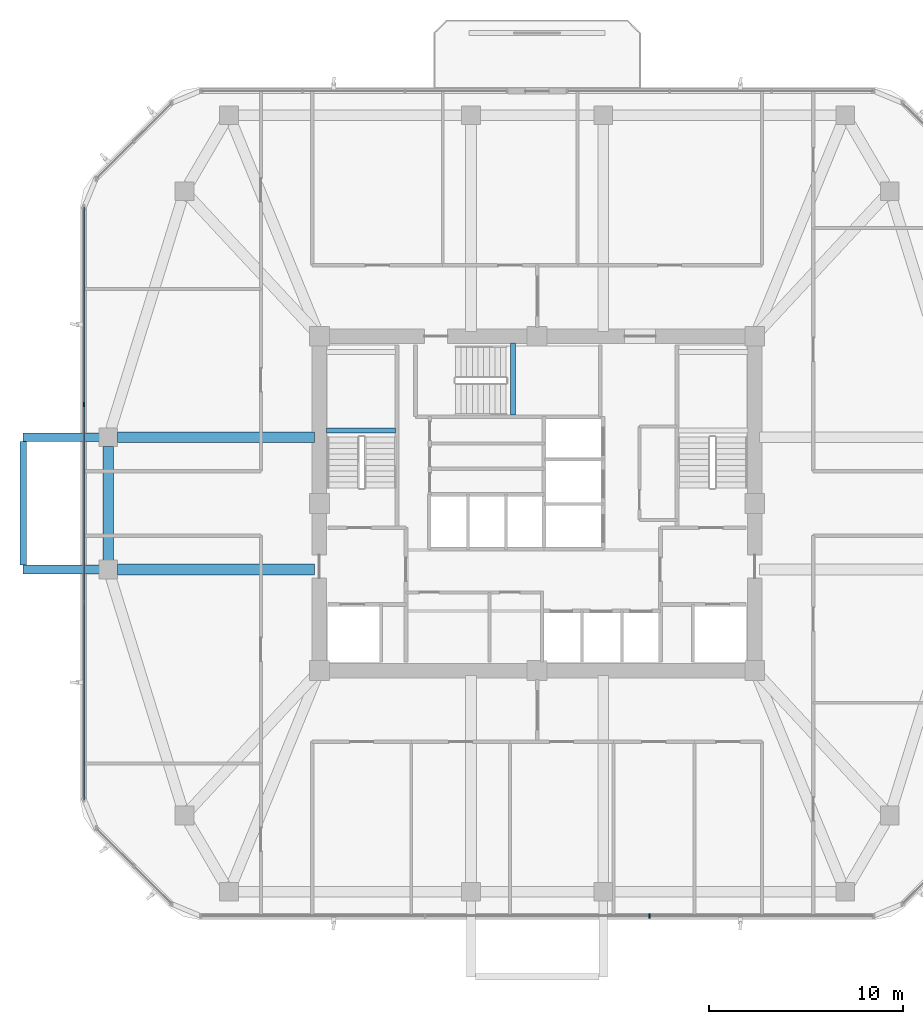
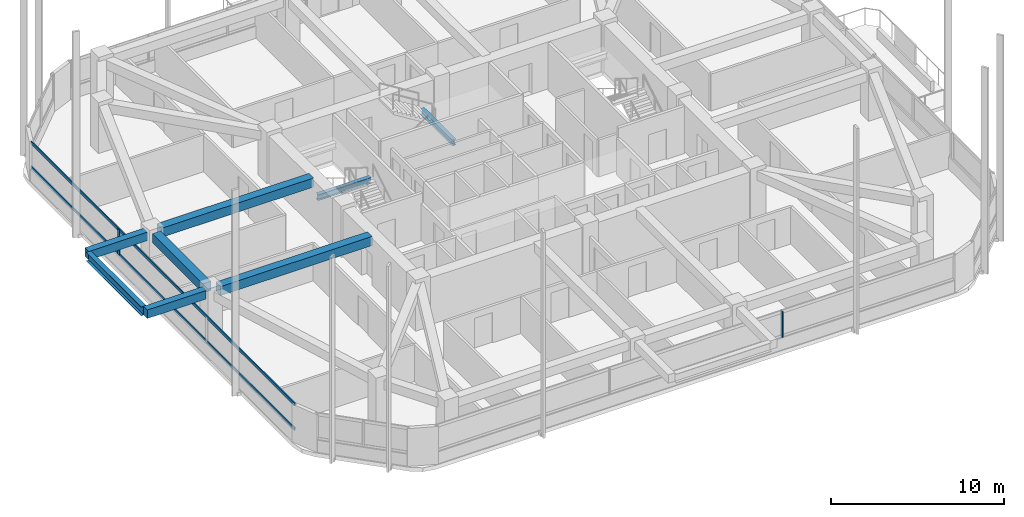
# One storey, part 3 of 14: 8 beams, 4 members, 2 elements without a shape of their own.
"""IFC4 building model written with IfcOpenShell, lengths in metres."""

from ifc_helpers import new_model, si_unit, derived_unit, direction, frame, origin, origin_2d, place, context, subcontext, project, spatial, rectangle, i_section, extrude, material, material_profile, profile_set, type_object, element, aggregate, save


model = new_model("IFC4")

# Units and contexts
model_context = context("Model", 3, precision=1e-05, world=origin(), true_north=direction((0.0, 1.0)))
body_context = subcontext(model_context, "Body", "Model", "MODEL_VIEW")
ifc_project = project(units=[si_unit("LENGTHUNIT", "METRE"), si_unit("AREAUNIT", "SQUARE_METRE"), si_unit("VOLUMEUNIT", "CUBIC_METRE"), si_unit("PLANEANGLEUNIT", "RADIAN"), si_unit("MASSUNIT", "GRAM", prefix="KILO"), derived_unit("THERMALTRANSMITTANCEUNIT", [(si_unit("POWERUNIT", "WATT"), 1), (si_unit("LENGTHUNIT", "METRE"), -2), (si_unit("THERMODYNAMICTEMPERATUREUNIT", "KELVIN"), -1)])], contexts=[model_context])

# Site, building, storey
site_placement = place(None, origin())
site = spatial("IfcSite", under=ifc_project, at=site_placement, CompositionType="ELEMENT")
building_placement = place(site_placement, origin())
building = spatial("IfcBuilding", under=site, at=building_placement, Name="Koralith Skygarden Medical Center", CompositionType="ELEMENT")
storey_placement = place(building_placement, frame((0.0, 0.0, 145.6201171875)))
storey = spatial("IfcBuildingStorey", under=building, at=storey_placement, Name="L37", CompositionType="ELEMENT", Elevation=145.6201171875)

# Curtain wall, member
ifc_material_1 = material(Name="Clear Laminated Glass", Category="glass")
curtain_wall_type = type_object("IfcCurtainWallType", Name="CW-4 Zone 3 Waist High-Wind Curtain Wall", PredefinedType="NOTDEFINED", material=ifc_material_1)
curtain_wall_1_placement = place(storey_placement, origin())
curtain_wall_1 = element("IfcCurtainWall", 1, at=curtain_wall_1_placement, inside=storey, type_object=curtain_wall_type, Name="Curtain Wall CW-L37-S", PredefinedType="NOTDEFINED")
ifc_material_2 = material(Name="Aluminium 6063-T6", Category="aluminium")
ifc_material_profile_1 = material_profile(ifc_material_2, rectangle(XDim=0.076904296875, YDim=0.22998046875, at=origin_2d()), Name="MUL77X230")
ifc_profile_set_1 = profile_set([ifc_material_profile_1], Name="Aluminium 6063-T6")
member_type_1 = type_object("IfcMemberType", Name="CW-4 Extruded Mullion 77x230", PredefinedType="MULLION", material=ifc_profile_set_1)
member_1_placement = place(storey_placement, frame((42.77587890625, 4.679931640625, 0.849853515625), z_axis=(0.0, 0.0, 1.0), x_axis=(1.0, 0.0, 0.0)))
member_1 = element("IfcMember", 2, at=member_1_placement, type_object=member_type_1, Name="CW-L37-S Mullion 3", PredefinedType="MULLION", context=body_context, shape_type="SweptSolid", body=[
    extrude(rectangle(XDim=0.076904296875, YDim=0.22998046875, at=origin_2d()), origin(), (0.0, 0.0, 1.0), 1.820068359375),
])
aggregate(curtain_wall_1, [member_1])

# Curtain wall, members
curtain_wall_2_placement = place(storey_placement, origin())
curtain_wall_2 = element("IfcCurtainWall", 3, at=curtain_wall_2_placement, inside=storey, type_object=curtain_wall_type, Name="Curtain Wall CW-L37-W", PredefinedType="NOTDEFINED")
member_2_placement = place(storey_placement, frame((13.696044921875, 30.98193359375, 0.849853515625), z_axis=(0.0, 0.0, 1.0), x_axis=(1.0, 0.0, 0.0)))
member_2 = element("IfcMember", 4, at=member_2_placement, type_object=member_type_1, Name="CW-L37-W Mullion 2", PredefinedType="MULLION", context=body_context, shape_type="SweptSolid", body=[
    extrude(rectangle(XDim=0.076904296875, YDim=0.22998046875, at=origin_2d()), origin(), (0.0, 0.0, 1.0), 1.820068359375),
])
ifc_material_profile_2 = material_profile(ifc_material_2, rectangle(XDim=0.072021484375, YDim=0.20703125, at=origin_2d()), Name="TRN72X207")
ifc_profile_set_2 = profile_set([ifc_material_profile_2], Name="Aluminium 6063-T6")
member_type_2 = type_object("IfcMemberType", Name="CW-4 Thermal Transom 72x207", PredefinedType="USERDEFINED", material=ifc_profile_set_2)
member_3_placement = place(storey_placement, frame((13.696044921875, 41.14501953125, 0.89990234375), z_axis=(0.0, -1.0, 0.0), x_axis=(1.0, 0.0, 0.0)))
member_3 = element("IfcMember", 5, at=member_3_placement, type_object=member_type_2, Name="CW-L37-W Transom 1", ObjectType="TRANSOM", PredefinedType="USERDEFINED", context=body_context, shape_type="SweptSolid", body=[
    extrude(rectangle(XDim=0.072021484375, YDim=0.20703125, at=origin_2d()), origin(), (0.0, 0.0, 1.0), 30.489990234375),
])
member_4_placement = place(storey_placement, frame((13.696044921875, 41.14501953125, 2.619873046875), z_axis=(0.0, -1.0, 0.0), x_axis=(1.0, 0.0, 0.0)))
member_4 = element("IfcMember", 6, at=member_4_placement, type_object=member_type_2, Name="CW-L37-W Transom 2", ObjectType="TRANSOM", PredefinedType="USERDEFINED", context=body_context, shape_type="SweptSolid", body=[
    extrude(rectangle(XDim=0.072021484375, YDim=0.20703125, at=origin_2d()), origin(), (0.0, 0.0, 1.0), 30.489990234375),
])
aggregate(curtain_wall_2, [member_2, member_3, member_4])

# Beams
ifc_material_3 = material(Name="Steel ASTM A992 Grade 50", Category="steel")
ifc_material_profile_3 = material_profile(ifc_material_3, i_section(OverallWidth=0.326904296875, OverallDepth=0.6220703125, WebThickness=0.015380859375, FlangeThickness=0.0244140625, at=origin_2d()), Name="W24X131")
ifc_profile_set_3 = profile_set([ifc_material_profile_3], Name="Steel ASTM A992 Grade 50")
beam_type_1 = type_object("IfcBeamType", Name="Cantilever Tie Beam W24X131", PredefinedType="BEAM", material=ifc_profile_set_3)
beam_1_placement = place(storey_placement, frame((10.555908203125, 22.719970703125, 3.02880859375), z_axis=(0.0, 1.0, 0.0), x_axis=(-1.0, 0.0, 0.0)))
element("IfcBeam", 7, at=beam_1_placement, inside=storey, type_object=beam_type_1, Name="L38 W Balcony Tip Tie Beam", PredefinedType="BEAM", context=body_context, shape_type="SweptSolid", body=[
    extrude(i_section(OverallWidth=0.326904296875, OverallDepth=0.6220703125, WebThickness=0.015380859375, FlangeThickness=0.0244140625, at=origin_2d()), origin(), (0.0, 0.0, 1.0), 6.360107421875),
])
ifc_material_profile_4 = material_profile(ifc_material_3, i_section(OverallWidth=0.260009765625, OverallDepth=0.4150390625, WebThickness=0.010009765625, FlangeThickness=0.016845703125, at=origin_2d()), Name="W16X67")
ifc_profile_set_4 = profile_set([ifc_material_profile_4], Name="Steel ASTM A992 Grade 50")
beam_type_2 = type_object("IfcBeamType", Name="Clinical Floor Joist W16X67", PredefinedType="JOIST", material=ifc_profile_set_4)
beam_2_placement = place(storey_placement, frame((26.155029296875, 29.659912109375, 1.391845703125), z_axis=(1.0, 0.0, 0.0), x_axis=(0.0, 1.0, 0.0)))
element("IfcBeam", 8, at=beam_2_placement, inside=storey, type_object=beam_type_2, Name="L37 Stair ST1 Half-Landing Support Beam 1A", PredefinedType="JOIST", context=body_context, shape_type="SweptSolid", body=[
    extrude(i_section(OverallWidth=0.260009765625, OverallDepth=0.4150390625, WebThickness=0.010009765625, FlangeThickness=0.016845703125, at=origin_2d()), origin(), (0.0, 0.0, 1.0), 3.56494140625),
])
beam_3_placement = place(storey_placement, frame((35.760009765625, 30.43994140625, 1.391845703125), z_axis=(0.0, 1.0, 0.0), x_axis=(-1.0, 0.0, 0.0)))
element("IfcBeam", 9, at=beam_3_placement, inside=storey, type_object=beam_type_2, Name="L37 Stair ST3 Half-Landing Support Beam 1A", PredefinedType="JOIST", context=body_context, shape_type="SweptSolid", body=[
    extrude(i_section(OverallWidth=0.260009765625, OverallDepth=0.4150390625, WebThickness=0.010009765625, FlangeThickness=0.016845703125, at=origin_2d()), origin(), (0.0, 0.0, 1.0), 3.705078125),
])
ifc_material_4 = material(Name="Concrete C45/55", Category="concrete")
ifc_material_profile_5 = material_profile(ifc_material_4, rectangle(XDim=0.449951171875, YDim=0.60009765625, at=origin_2d()), Name="RCB450X600")
ifc_profile_set_5 = profile_set([ifc_material_profile_5], Name="Concrete C45/55")
beam_type_3 = type_object("IfcBeamType", Name="Planted Balcony Cantilever Beam RCB450X600", PredefinedType="BEAM", material=ifc_profile_set_5)
for number, where, z_axis, x_axis, name in (
    (10, (14.47607421875, 22.5, 3.039794921875), (-1.0, 0.0, 0.0), (0.0, -1.0, 0.0), "L38 W Balcony Cantilever Beam A"),
    (11, (14.47607421875, 29.300048828125, 3.039794921875), (-1.0, 0.0, 0.0), (0.0, -1.0, 0.0), "L38 W Balcony Cantilever Beam B"),
):
    element("IfcBeam", number, at=place(storey_placement, frame(where, z_axis=z_axis, x_axis=x_axis)), inside=storey, type_object=beam_type_3, Name=name, PredefinedType="BEAM", context=body_context, shape_type="SweptSolid", body=[
        extrude(rectangle(XDim=0.449951171875, YDim=0.60009765625, at=origin_2d()), origin(), (0.0, 0.0, 1.0), 3.920166015625),
    ])
ifc_material_profile_6 = material_profile(ifc_material_4, rectangle(XDim=0.550048828125, YDim=0.639892578125, at=origin_2d()), Name="RCB550X640")
ifc_profile_set_6 = profile_set([ifc_material_profile_6], Name="Concrete C45/55")
beam_type_4 = type_object("IfcBeamType", Name="Radial Collector Beam RCB550X640", PredefinedType="BEAM", material=ifc_profile_set_6)
for number, where, z_axis, x_axis, name in (
    (12, (25.550048828125, 22.5, 3.0), (-1.0, 0.0, 0.0), (0.0, -1.0, 0.0), "L37 Radial Collector Beam RB-01"),
    (13, (25.550048828125, 29.300048828125, 3.0), (-1.0, 0.0, 0.0), (0.0, -1.0, 0.0), "L37 Radial Collector Beam RB-16"),
):
    element("IfcBeam", number, at=place(storey_placement, frame(where, z_axis=z_axis, x_axis=x_axis)), inside=storey, type_object=beam_type_4, Name=name, PredefinedType="BEAM", context=body_context, shape_type="SweptSolid", body=[
        extrude(rectangle(XDim=0.550048828125, YDim=0.639892578125, at=origin_2d()), origin(), (0.0, 0.0, 1.0), 10.14404296875),
    ])
ifc_material_profile_7 = material_profile(ifc_material_4, rectangle(XDim=0.550048828125, YDim=0.639892578125, at=origin_2d()), Name="RCB550X640")
ifc_profile_set_7 = profile_set([ifc_material_profile_7], Name="Concrete C45/55")
beam_type_5 = type_object("IfcBeamType", Name="Zone 2-3 Spandrel Beam RCB550X640", PredefinedType="SPANDREL", material=ifc_profile_set_7)
beam_4_placement = place(storey_placement, frame((14.93603515625, 28.830078125, 3.0), z_axis=(0.0, -1.0, 0.0), x_axis=(1.0, 0.0, 0.0)))
element("IfcBeam", 14, at=beam_4_placement, inside=storey, type_object=beam_type_5, Name="L37 Perimeter Spandrel Beam SP-16", PredefinedType="SPANDREL", context=body_context, shape_type="SweptSolid", body=[
    extrude(rectangle(XDim=0.550048828125, YDim=0.639892578125, at=origin_2d()), origin(), (0.0, 0.0, 1.0), 5.860107421875),
])

save(model, "model.ifc")
